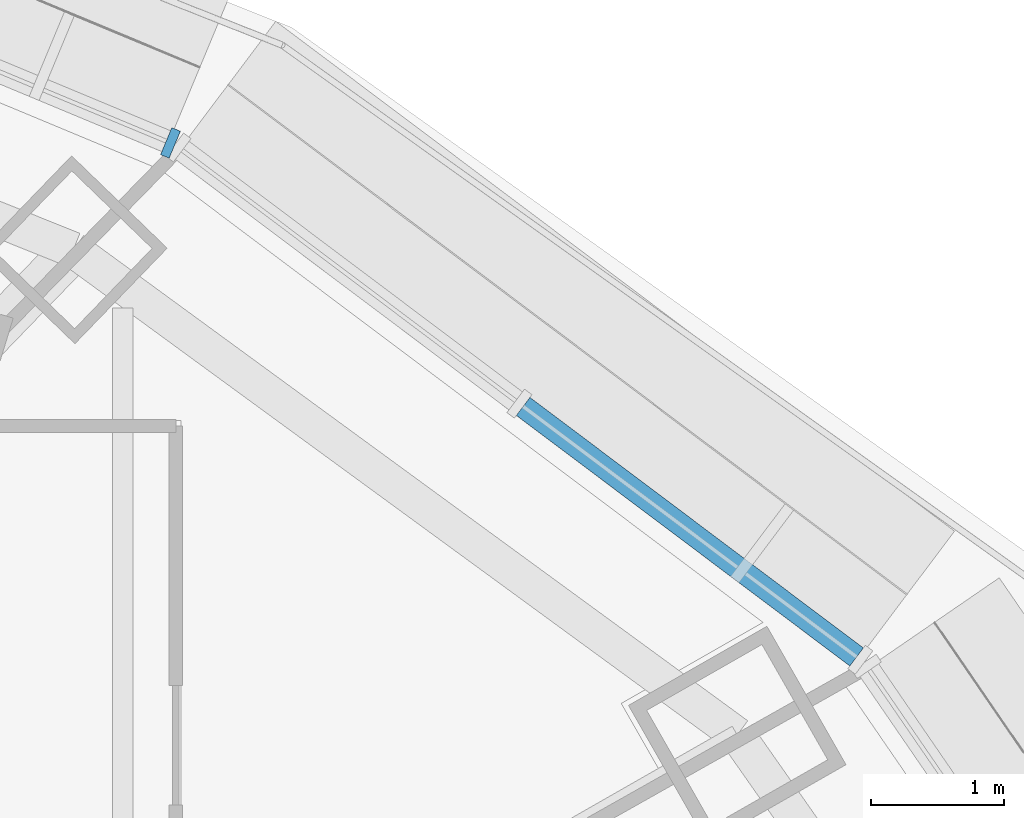
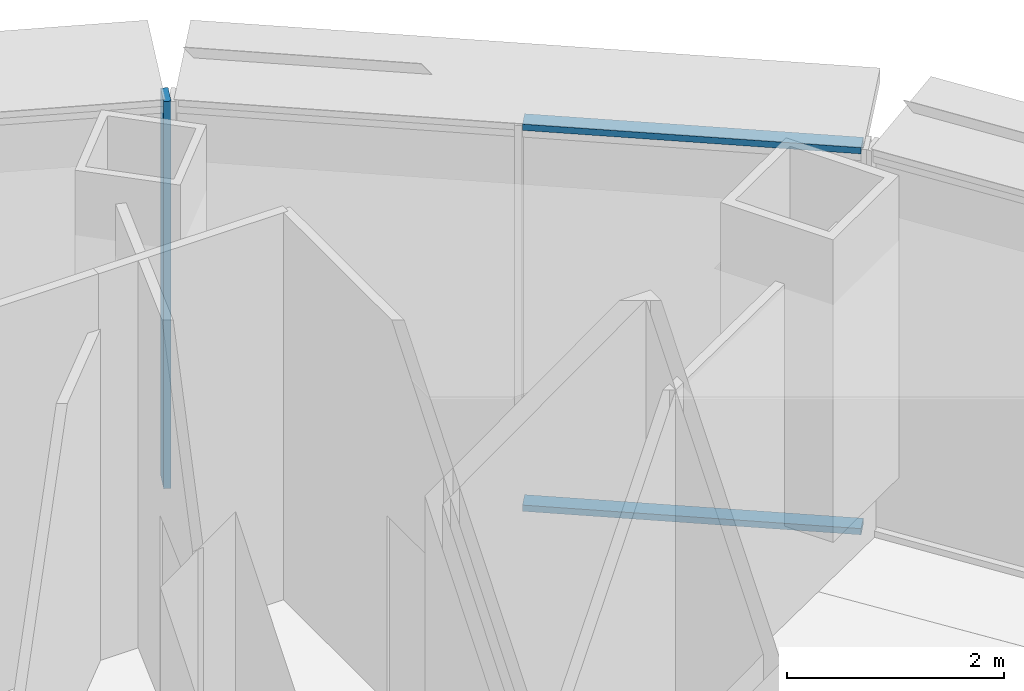
# One storey, part 7 of 17: 3 members, 2 elements without a shape of their own.
"""IFC4 building model written with IfcOpenShell, lengths in metres."""

from ifc_helpers import new_model, si_unit, direction, frame, origin, origin_2d, place, context, subcontext, project, spatial, rectangle, extrude, material, material_profile, profile_set, type_object, element, aggregate, save


model = new_model("IFC4")

# Units and contexts
model_context = context("Model", 3, precision=1e-05, world=origin(), true_north=direction((0.0, 1.0)))
body_context = subcontext(model_context, "Body", "Model", "MODEL_VIEW")
ifc_project = project(units=[si_unit("LENGTHUNIT", "METRE"), si_unit("AREAUNIT", "SQUARE_METRE"), si_unit("VOLUMEUNIT", "CUBIC_METRE"), si_unit("PLANEANGLEUNIT", "RADIAN"), si_unit("MASSUNIT", "GRAM", prefix="KILO")], contexts=[model_context])

# Site, building, storey
site_placement = place(None, origin())
site = spatial("IfcSite", under=ifc_project, at=site_placement, CompositionType="ELEMENT")
building_placement = place(site_placement, origin())
building = spatial("IfcBuilding", under=site, at=building_placement, Name="Lantaw Convention Tower", CompositionType="ELEMENT")
storey_placement = place(building_placement, frame((0.0, 0.0, 270.39990234375)))
storey = spatial("IfcBuildingStorey", under=building, at=storey_placement, Name="L63", CompositionType="ELEMENT", Elevation=270.39990234375)

# Curtain wall, member
ifc_material_1 = material(Name="Aluminium framed curtain wall", Category="aluminium")
curtain_wall_type = type_object("IfcCurtainWallType", Name="Executive floors curtain wall, pale aluminium", PredefinedType="USERDEFINED", material=ifc_material_1)
curtain_wall_1_placement = place(storey_placement, origin())
curtain_wall_1 = element("IfcCurtainWall", 1, at=curtain_wall_1_placement, inside=storey, type_object=curtain_wall_type, Name="Executive floors curtain wall, pale aluminium L63", ObjectType="UNITISED CURTAIN WALL", PredefinedType="USERDEFINED")
ifc_material_2 = material(Name="Aluminium 6063-T6", Category="aluminium")
ifc_material_profile_1 = material_profile(ifc_material_2, rectangle(XDim=0.219970703125, YDim=0.070068359375, at=origin_2d()), Name="CW-T mullion 70x220")
ifc_profile_set_1 = profile_set([ifc_material_profile_1], Name="Aluminium 6063-T6")
member_type_1 = type_object("IfcMemberType", Name="CW-T mullion 70x220", PredefinedType="MULLION", material=ifc_profile_set_1)
member_1_placement = place(storey_placement, frame((14.759521484375, 15.330810546875, 0.0), z_axis=(0.0, 0.0, 1.0), x_axis=(-0.384459697924, -0.923141777124, 0.0)))
member_1 = element("IfcMember", 2, at=member_1_placement, type_object=member_type_1, Name="CW-T mullion 1", PredefinedType="MULLION", context=body_context, shape_type="SweptSolid", body=[
    extrude(rectangle(XDim=0.219970703125, YDim=0.070068359375, at=origin_2d()), origin(), (0.0, 0.0, 1.0), 4.35009765625),
])
aggregate(curtain_wall_1, [member_1])

# Curtain wall, members
curtain_wall_2_placement = place(storey_placement, origin())
curtain_wall_2 = element("IfcCurtainWall", 3, at=curtain_wall_2_placement, inside=storey, type_object=curtain_wall_type, Name="Executive floors curtain wall, pale aluminium L63", ObjectType="UNITISED CURTAIN WALL", PredefinedType="USERDEFINED")
ifc_material_profile_2 = material_profile(ifc_material_2, rectangle(XDim=0.169921875, YDim=0.070068359375, at=origin_2d()), Name="CW-T transom 70x170")
ifc_profile_set_2 = profile_set([ifc_material_profile_2], Name="Aluminium 6063-T6")
member_type_2 = type_object("IfcMemberType", Name="CW-T transom 70x170", PredefinedType="USERDEFINED", material=ifc_profile_set_2)
member_2_placement = place(storey_placement, frame((19.926025390625, 11.460205078125, 0.03515625), z_axis=(-0.799496049611, 0.600671346626, 0.0), x_axis=(-0.600671346626, -0.799496049611, 0.0)))
member_2 = element("IfcMember", 4, at=member_2_placement, type_object=member_type_2, Name="CW-T transom 1.1", ObjectType="TRANSOM", PredefinedType="USERDEFINED", context=body_context, shape_type="SweptSolid", body=[
    extrude(rectangle(XDim=0.169921875, YDim=0.070068359375, at=origin_2d()), origin(), (0.0, 0.0, 1.0), 3.14111328125),
])
member_3_placement = place(storey_placement, frame((19.926025390625, 11.460205078125, 4.315185546875), z_axis=(-0.799496049611, 0.600671346626, 0.0), x_axis=(-0.600671346626, -0.799496049611, 0.0)))
member_3 = element("IfcMember", 5, at=member_3_placement, type_object=member_type_2, Name="CW-T transom 1.2", ObjectType="TRANSOM", PredefinedType="USERDEFINED", context=body_context, shape_type="SweptSolid", body=[
    extrude(rectangle(XDim=0.169921875, YDim=0.070068359375, at=origin_2d()), origin(), (0.0, 0.0, 1.0), 3.14111328125),
])
aggregate(curtain_wall_2, [member_2, member_3])

save(model, "model.ifc")
